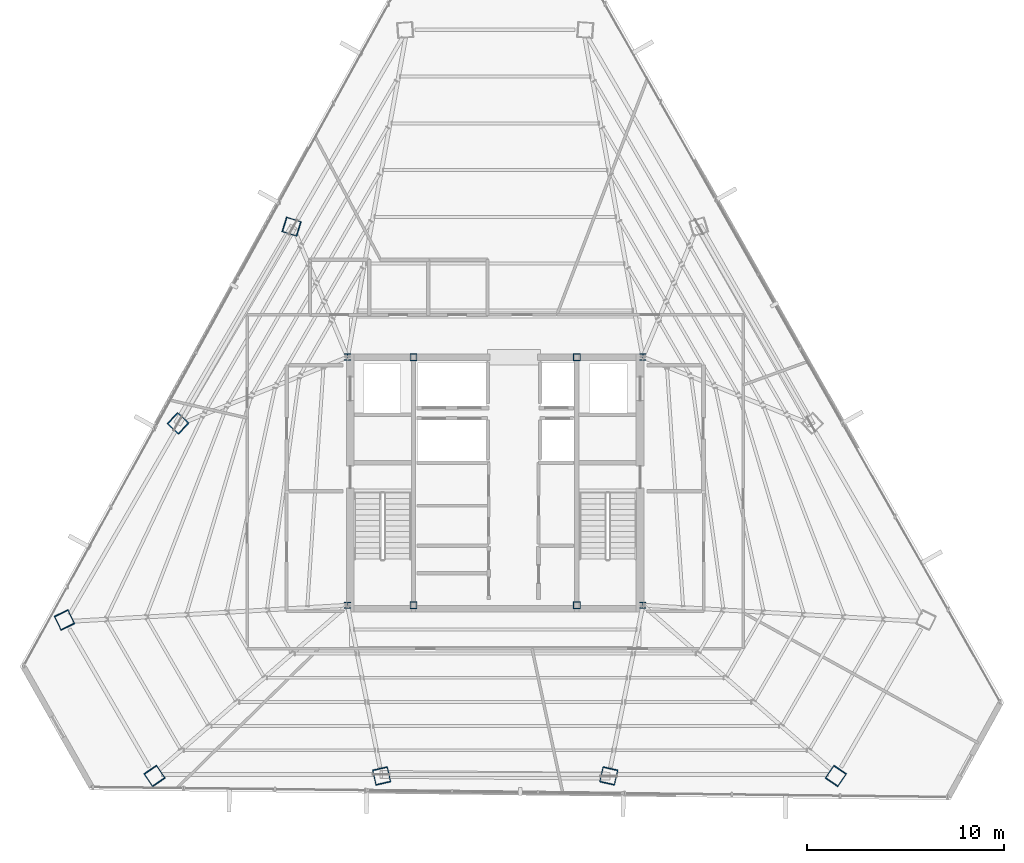
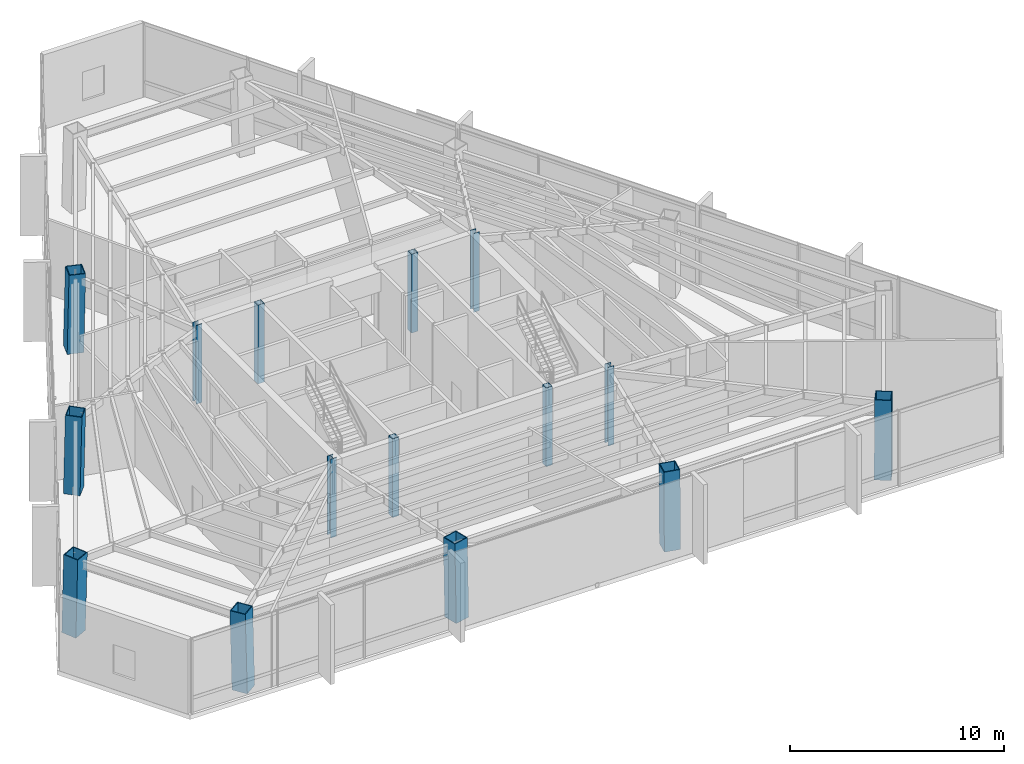
# One storey, part 1 of 37: 15 columns.
"""IFC4 building model written with IfcOpenShell, lengths in metres."""

from ifc_helpers import new_model, si_unit, direction, frame, origin, origin_2d, place, context, subcontext, project, spatial, hollow_rectangle, i_section, extrude, source, transform, mapped, material, material_profile, profile_set, type_object, type_shapes, element, save


model = new_model("IFC4")

# Units and contexts
model_context = context("Model", 3, precision=1e-05, world=origin(), true_north=direction((0.0, 1.0)))
body_context = subcontext(model_context, "Body", "Model", "MODEL_VIEW")
ifc_project = project(units=[si_unit("LENGTHUNIT", "METRE"), si_unit("AREAUNIT", "SQUARE_METRE"), si_unit("VOLUMEUNIT", "CUBIC_METRE"), si_unit("PLANEANGLEUNIT", "RADIAN"), si_unit("MASSUNIT", "GRAM", prefix="KILO")], contexts=[model_context])

# Site, building, storey
site_placement = place(None, origin())
site = spatial("IfcSite", under=ifc_project, at=site_placement, CompositionType="ELEMENT")
building_placement = place(site_placement, origin())
building = spatial("IfcBuilding", under=site, at=building_placement, Name="Caelisora Broadcast Tower", CompositionType="ELEMENT")
storey_placement = place(building_placement, frame((0.0, 0.0, 225.35009765625)))
storey = spatial("IfcBuildingStorey", under=building, at=storey_placement, Name="L59", CompositionType="ELEMENT", Elevation=225.35009765625)

# Columns
ifc_material_1 = material(Name="Steel Grade 350 (AS/NZS 3679.1)", Category="steel")
ifc_material_profile_1 = material_profile(ifc_material_1, i_section(OverallWidth=0.31103515625, OverallDepth=0.3271484375, WebThickness=0.015625, FlangeThickness=0.02490234375, at=origin_2d()), Name="Steel Grade 350 (AS/NZS 3679.1)")
ifc_profile_set_1 = profile_set([ifc_material_profile_1], Name="Steel Grade 350 (AS/NZS 3679.1)")
column_type_1 = type_object("IfcColumnType", Name="CC03", PredefinedType="COLUMN", material=ifc_profile_set_1)
shared_shape_1 = source(origin(), body_context, "Body", "SweptSolid", [
    extrude(i_section(OverallWidth=0.31103515625, OverallDepth=0.3271484375, WebThickness=0.015625, FlangeThickness=0.02490234375, at=origin_2d()), origin(), (0.0, 0.0, 1.0), 4.5),
])
type_shapes(column_type_1, [shared_shape_1])
for number, where, z_axis, x_axis, name in (
    (1, (30.5, 17.39990234375, 0.0), (0.0, 0.0, 1.0), (1.0, 0.0, 0.0), "L59 column CC03"),
    (2, (45.5, 17.39990234375, 0.0), (0.0, 0.0, 1.0), (1.0, 0.0, 0.0), "L59 column CC03"),
    (3, (45.5, 30.0, 0.0), (0.0, 0.0, 1.0), (1.0, 0.0, 0.0), "L59 column CC03"),
    (4, (30.5, 30.0, 0.0), (0.0, 0.0, 1.0), (1.0, 0.0, 0.0), "L59 column CC03"),
):
    element("IfcColumn", number, at=place(storey_placement, frame(where, z_axis=z_axis, x_axis=x_axis)), inside=storey, type_object=column_type_1, Name=name, PredefinedType="COLUMN", context=body_context, shape_type="MappedRepresentation", body=[
        mapped(shared_shape_1, transform((0.0, 0.0, 0.0), scale=1.0)),
    ])
ifc_material_2 = material(Name="Steel Grade 350 (AS/NZS 1163 C350L0)", Category="steel")
ifc_material_profile_2 = material_profile(ifc_material_2, hollow_rectangle(XDim=0.35009765625, YDim=0.35009765625, WallThickness=0.01611328125, at=origin_2d()), Name="Steel Grade 350 (AS/NZS 1163 C350L0)")
ifc_profile_set_2 = profile_set([ifc_material_profile_2], Name="Steel Grade 350 (AS/NZS 1163 C350L0)")
column_type_2 = type_object("IfcColumnType", Name="CC07", PredefinedType="COLUMN", material=ifc_profile_set_2)
shared_shape_2 = source(origin(), body_context, "Body", "SweptSolid", [
    extrude(hollow_rectangle(XDim=0.35009765625, YDim=0.35009765625, WallThickness=0.01611328125, at=origin_2d()), origin(), (0.0, 0.0, 1.0), 4.5),
])
type_shapes(column_type_2, [shared_shape_2])
for number, where, z_axis, x_axis, name in (
    (5, (33.85009765625, 17.39990234375, 0.0), (0.0, 0.0, 1.0), (1.0, 0.0, 0.0), "L59 column CC07"),
    (6, (42.14990234375, 17.39990234375, 0.0), (0.0, 0.0, 1.0), (1.0, 0.0, 0.0), "L59 column CC07"),
    (7, (33.85009765625, 30.0, 0.0), (0.0, 0.0, 1.0), (1.0, 0.0, 0.0), "L59 column CC07"),
    (8, (42.14990234375, 30.0, 0.0), (0.0, 0.0, 1.0), (1.0, 0.0, 0.0), "L59 column CC07"),
):
    element("IfcColumn", number, at=place(storey_placement, frame(where, z_axis=z_axis, x_axis=x_axis)), inside=storey, type_object=column_type_2, Name=name, PredefinedType="COLUMN", context=body_context, shape_type="MappedRepresentation", body=[
        mapped(shared_shape_2, transform((0.0, 0.0, 0.0), scale=1.0)),
    ])
ifc_material_3 = material(Name="Steel Grade 350 L15 (AS/NZS 3678)", Category="steel")
ifc_material_profile_3 = material_profile(ifc_material_3, hollow_rectangle(XDim=0.800048828125, YDim=0.800048828125, WallThickness=0.044921875, at=origin_2d()), Name="Steel Grade 350 L15 (AS/NZS 3678)")
ifc_profile_set_3 = profile_set([ifc_material_profile_3], Name="Steel Grade 350 L15 (AS/NZS 3678)")
column_type_3 = type_object("IfcColumnType", Name="MC05", PredefinedType="COLUMN", material=ifc_profile_set_3)
shared_shape_3 = source(origin(), body_context, "Body", "SweptSolid", [
    extrude(hollow_rectangle(XDim=0.800048828125, YDim=0.800048828125, WallThickness=0.044921875, at=origin_2d()), origin(), (0.0, 0.0, 1.0), 4.501220703125),
])
for number, where, z_axis, x_axis, name in (
    (9, (16.11669921875, 16.6630859375, 0.0), (0.010413674417, -0.021586679261, 0.999712744074), (0.900673807124, 0.434495906954, 0.0), "L59 column MC05"),
    (10, (20.704345703125, 8.716796875, 0.0), (-0.013451006786, 0.019796844666, 0.999713536648), (-0.827137189058, -0.562000062702, 0.0), "L59 column MC05"),
    (11, (55.295654296875, 8.716796875, 0.0), (0.013451006786, 0.019796844666, 0.999713536648), (-0.827137189058, 0.562000062702, 0.0), "L59 column MC05"),
):
    element("IfcColumn", number, at=place(storey_placement, frame(where, z_axis=z_axis, x_axis=x_axis)), inside=storey, type_object=column_type_3, Name=name, PredefinedType="COLUMN", context=body_context, shape_type="MappedRepresentation", body=[
        mapped(shared_shape_3, transform((0.0, 0.0, 0.0), scale=1.0)),
    ])
shared_shape_4 = source(origin(), body_context, "Body", "SweptSolid", [
    extrude(hollow_rectangle(XDim=0.800048828125, YDim=0.800048828125, WallThickness=0.044921875, at=origin_2d()), origin(), (0.0, 0.0, 1.0), 4.5009765625),
])
type_shapes(column_type_3, [shared_shape_3, shared_shape_4])
for number, where, z_axis, x_axis, name in (
    (12, (27.647216796875, 36.634521484375, 0.0), (0.01936450667, -0.006020897032, 0.999794361197), (0.296903964172, 0.954907344227, 0.0), "L59 column MC05"),
    (13, (21.8818359375, 26.648681640625, 0.0), (0.01491662865, -0.013777540644, 0.999793815526), (0.678501966239, 0.734598585494, 0.0), "L59 column MC05"),
    (14, (32.23486328125, 8.716796875, 0.0), (-0.004502109917, 0.019798435176, 0.999793855238), (-0.975106606077, -0.221736570697, 0.0), "L59 column MC05"),
    (15, (43.76513671875, 8.716796875, 0.0), (0.004502109917, 0.019798435176, 0.999793855238), (-0.975106606077, 0.221736570697, 0.0), "L59 column MC05"),
):
    element("IfcColumn", number, at=place(storey_placement, frame(where, z_axis=z_axis, x_axis=x_axis)), inside=storey, type_object=column_type_3, Name=name, PredefinedType="COLUMN", context=body_context, shape_type="MappedRepresentation", body=[
        mapped(shared_shape_4, transform((0.0, 0.0, 0.0), scale=1.0)),
    ])

save(model, "model.ifc")
